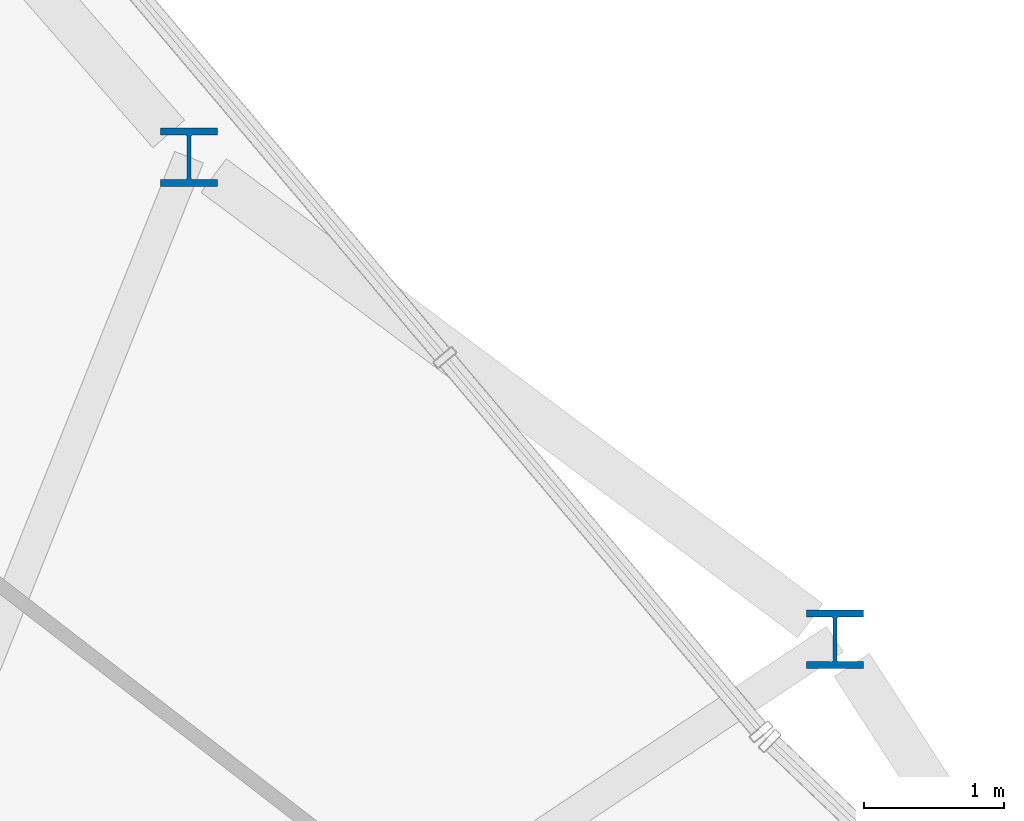
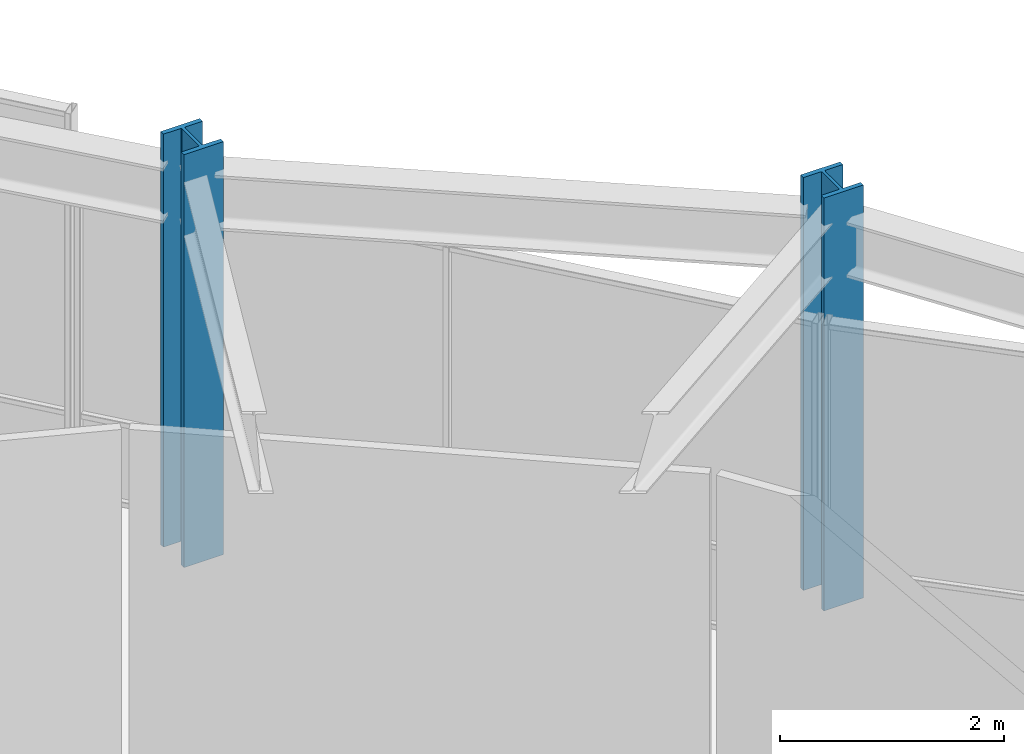
# One storey, part 4 of 55: 2 columns.
"""IFC4 building model written with IfcOpenShell, lengths in metres."""

from ifc_helpers import new_model, si_unit, direction, frame, origin, origin_2d, place, context, subcontext, project, spatial, i_section, extrude, material, material_profile, profile_set, type_object, element, save


model = new_model("IFC4")

# Units and contexts
model_context = context("Model", 3, precision=1e-05, world=origin(), true_north=direction((0.0, 1.0)))
body_context = subcontext(model_context, "Body", "Model", "MODEL_VIEW")
ifc_project = project(units=[si_unit("LENGTHUNIT", "METRE"), si_unit("AREAUNIT", "SQUARE_METRE"), si_unit("VOLUMEUNIT", "CUBIC_METRE"), si_unit("PLANEANGLEUNIT", "RADIAN"), si_unit("MASSUNIT", "GRAM", prefix="KILO")], contexts=[model_context])

# Site, building, storey
site_placement = place(None, origin())
site = spatial("IfcSite", under=ifc_project, at=site_placement, CompositionType="ELEMENT")
building_placement = place(site_placement, origin())
building = spatial("IfcBuilding", under=site, at=building_placement, Name="Kelanora Arch Commons", CompositionType="ELEMENT")
storey_placement = place(building_placement, frame((0.0, 0.0, 4.5)))
storey = spatial("IfcBuildingStorey", under=building, at=storey_placement, Name="L01", CompositionType="ELEMENT", Elevation=4.5)

# Columns
ifc_material = material(Name="Steel S355", Category="steel")
ifc_material_profile = material_profile(ifc_material, i_section(OverallWidth=0.406005859375, OverallDepth=0.416015625, WebThickness=0.029052734375, FlangeThickness=0.048095703125, FilletRadius=0.014892578125, at=origin_2d()), Name="HD400x382")
ifc_profile_set = profile_set([ifc_material_profile], Name="Steel S355")
column_type = type_object("IfcColumnType", Name="COL-PORCH", PredefinedType="COLUMN", material=ifc_profile_set)
for number, where, z_axis, x_axis, name in (
    (1, (90.156494140625, 70.426025390625, 0.0), (0.0, 0.0, 1.0), (1.0, 0.0, 0.0), "Recessed Arch Portal Column CAP-04 L01"),
    (2, (85.545654296875, 73.866455078125, 0.0), (0.0, 0.0, 1.0), (1.0, 0.0, 0.0), "Recessed Arch Portal Column CAP-06 L01"),
):
    element("IfcColumn", number, at=place(storey_placement, frame(where, z_axis=z_axis, x_axis=x_axis)), inside=storey, type_object=column_type, Name=name, PredefinedType="COLUMN", context=body_context, shape_type="SweptSolid", body=[
        extrude(i_section(OverallWidth=0.406005859375, OverallDepth=0.416015625, WebThickness=0.029052734375, FlangeThickness=0.048095703125, FilletRadius=0.014892578125, at=origin_2d()), origin(), (0.0, 0.0, 1.0), 4.5),
    ])

save(model, "model.ifc")
